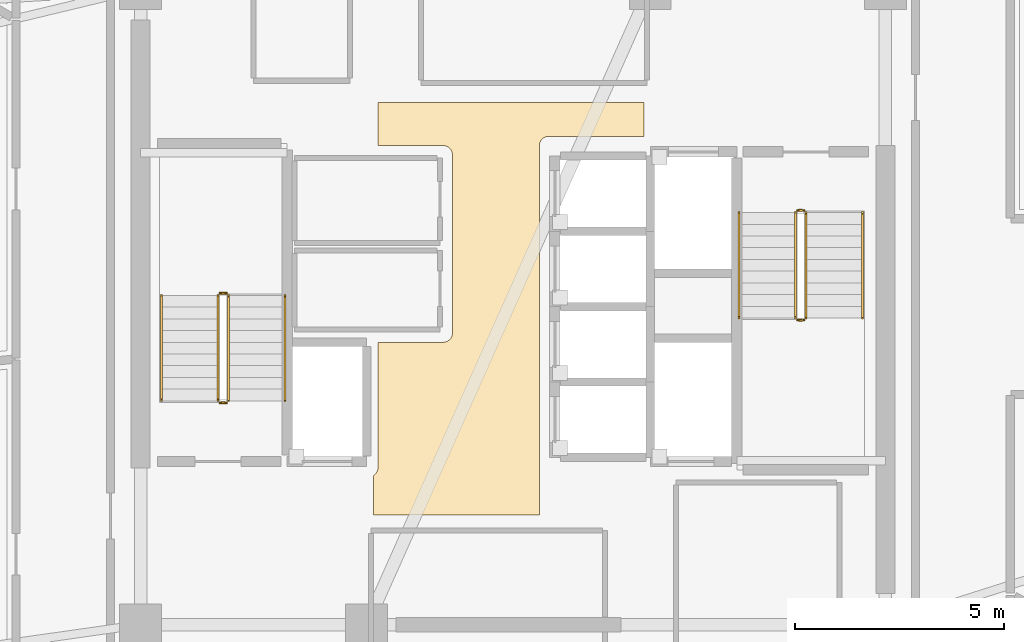
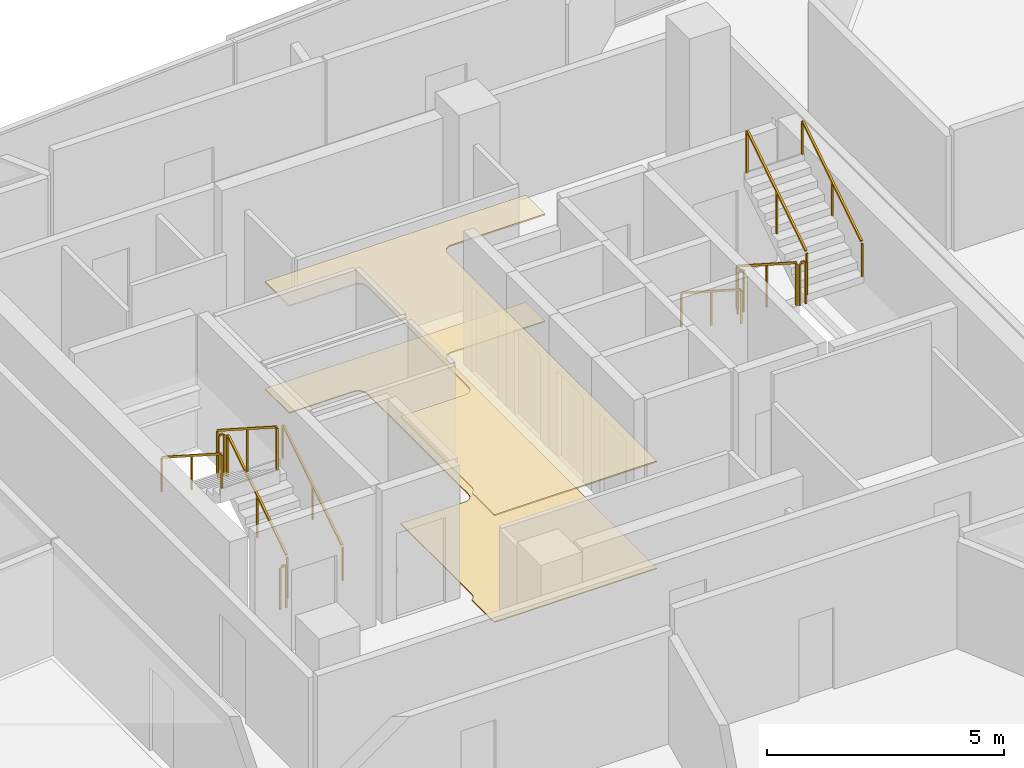
# One storey, part 15 of 16: 12 railings, 2 coverings.
"""IFC4 building model written with IfcOpenShell, lengths in metres."""

from ifc_helpers import new_model, si_unit, direction, frame, origin, origin_2d, place, context, subcontext, project, spatial, polyline, rectangle, outline, extrude, material, layer, layer_set, type_object, element, save


model = new_model("IFC4")

# Units and contexts
model_context = context("Model", 3, precision=1e-05, world=origin(), true_north=direction((0.0, 1.0)))
body_context = subcontext(model_context, "Body", "Model", "MODEL_VIEW")
ifc_project = project(units=[si_unit("LENGTHUNIT", "METRE"), si_unit("AREAUNIT", "SQUARE_METRE"), si_unit("VOLUMEUNIT", "CUBIC_METRE"), si_unit("PLANEANGLEUNIT", "RADIAN"), si_unit("MASSUNIT", "GRAM", prefix="KILO")], contexts=[model_context])

# Site, building, storey
site_placement = place(None, origin())
site = spatial("IfcSite", under=ifc_project, at=site_placement, CompositionType="ELEMENT")
building_placement = place(site_placement, origin())
building = spatial("IfcBuilding", under=site, at=building_placement, Name="Tharavind Bronze Gate", CompositionType="ELEMENT")
storey_placement = place(building_placement, frame((0.0, 0.0, 260.60009765625)))
storey = spatial("IfcBuildingStorey", under=building, at=storey_placement, Name="L67", CompositionType="ELEMENT", Elevation=260.60009765625)

# Coverings
ifc_material_1 = material(Name="Perforated Bronze Acoustic Panel", Category="bronze")
ifc_layer_1 = layer(ifc_material_1, 0.044921875)
ifc_layer_set_1 = layer_set([ifc_layer_1], Name="Perforated Bronze Acoustic Panel")
covering_type_1 = type_object("IfcCoveringType", Name="ACOUSTIC BRONZE BAFFLE CEILING", PredefinedType="CEILING", material=ifc_layer_set_1)
covering_1_placement = place(storey_placement, frame((0.0, 0.0, 2.75)))
element("IfcCovering", 1, at=covering_1_placement, inside=storey, type_object=covering_type_1, Name="L67-C-LL suspended ceiling", PredefinedType="CEILING", context=body_context, shape_type="SweptSolid", body=[
    extrude(outline(polyline([(-3.330078125, -4.97998046875), (0.6298828125, -4.97998046875), (0.6298828125, 3.85009765625), (0.631103515625, 3.87158203125), (0.63427734375, 3.892822265625), (0.639404296875, 3.913818359375), (0.646728515625, 3.93408203125), (0.656005859375, 3.95361328125), (0.6669921875, 3.97216796875), (0.679931640625, 3.989501953125), (0.6943359375, 4.005615234375), (0.71044921875, 4.02001953125), (0.727783203125, 4.032958984375), (0.746337890625, 4.0439453125), (0.765869140625, 4.05322265625), (0.7861328125, 4.060546875), (0.80712890625, 4.06591796875), (0.828369140625, 4.06884765625), (0.85009765625, 4.070068359375), (3.1298828125, 4.070068359375), (3.1298828125, 4.8798828125), (-3.22998046875, 4.8798828125), (-3.22998046875, 3.85009765625), (-1.669921875, 3.85009765625), (-1.6484375, 3.848876953125), (-1.627197265625, 3.845703125), (-1.606201171875, 3.840576171875), (-1.585693359375, 3.833251953125), (-1.56640625, 3.823974609375), (-1.5478515625, 3.81298828125), (-1.530517578125, 3.800048828125), (-1.514404296875, 3.78564453125), (-1.5, 3.76953125), (-1.487060546875, 3.752197265625), (-1.47607421875, 3.733642578125), (-1.466796875, 3.714111328125), (-1.45947265625, 3.69384765625), (-1.4541015625, 3.6728515625), (-1.451171875, 3.651611328125), (-1.449951171875, 3.6298828125), (-1.449951171875, 1.43994140625), (-1.450439453125, 1.429931640625), (-1.449951171875, 1.419921875), (-1.449951171875, -0.6298828125), (-1.451171875, -0.651611328125), (-1.4541015625, -0.6728515625), (-1.45947265625, -0.69384765625), (-1.466796875, -0.714111328125), (-1.47607421875, -0.733642578125), (-1.487060546875, -0.752197265625), (-1.5, -0.76953125), (-1.514404296875, -0.78564453125), (-1.530517578125, -0.800048828125), (-1.5478515625, -0.81298828125), (-1.56640625, -0.823974609375), (-1.585693359375, -0.833251953125), (-1.606201171875, -0.840576171875), (-1.627197265625, -0.845703125), (-1.6484375, -0.848876953125), (-1.669921875, -0.85009765625), (-3.22998046875, -0.85009765625), (-3.22998046875, -3.85009765625), (-3.231201171875, -3.87158203125), (-3.234130859375, -3.892822265625), (-3.239501953125, -3.913818359375), (-3.24658203125, -3.93408203125), (-3.256103515625, -3.95361328125), (-3.26708984375, -3.97216796875), (-3.27978515625, -3.989501953125), (-3.29443359375, -4.005615234375), (-3.310302734375, -4.02001953125), (-3.327880859375, -4.032958984375), (-3.330078125, -4.0341796875), (-3.330078125, -4.97998046875)])), origin(), (0.0, 0.0, 1.0), 0.034912109375),
])
ifc_material_2 = material(Name="Honed Travertine Limestone", Category="masonry")
ifc_layer_2 = layer(ifc_material_2, 0.030029296875)
ifc_layer_set_2 = layer_set([ifc_layer_2], Name="Honed Travertine Limestone")
covering_type_2 = type_object("IfcCoveringType", Name="HONED LIMESTONE FLOORING", PredefinedType="FLOORING", material=ifc_layer_set_2)
covering_2_placement = place(storey_placement, origin())
element("IfcCovering", 2, at=covering_2_placement, inside=storey, type_object=covering_type_2, Name="L67-C-LL floor finish", PredefinedType="FLOORING", context=body_context, shape_type="SweptSolid", body=[
    extrude(outline(polyline([(-3.330078125, -4.97998046875), (0.6298828125, -4.97998046875), (0.6298828125, 3.85009765625), (0.631103515625, 3.87158203125), (0.63427734375, 3.892822265625), (0.639404296875, 3.913818359375), (0.646728515625, 3.93408203125), (0.656005859375, 3.95361328125), (0.6669921875, 3.97216796875), (0.679931640625, 3.989501953125), (0.6943359375, 4.005615234375), (0.71044921875, 4.02001953125), (0.727783203125, 4.032958984375), (0.746337890625, 4.0439453125), (0.765869140625, 4.05322265625), (0.7861328125, 4.060546875), (0.80712890625, 4.06591796875), (0.828369140625, 4.06884765625), (0.85009765625, 4.070068359375), (3.1298828125, 4.070068359375), (3.1298828125, 4.8798828125), (-3.22998046875, 4.8798828125), (-3.22998046875, 3.85009765625), (-1.669921875, 3.85009765625), (-1.6484375, 3.848876953125), (-1.627197265625, 3.845703125), (-1.606201171875, 3.840576171875), (-1.585693359375, 3.833251953125), (-1.56640625, 3.823974609375), (-1.5478515625, 3.81298828125), (-1.530517578125, 3.800048828125), (-1.514404296875, 3.78564453125), (-1.5, 3.76953125), (-1.487060546875, 3.752197265625), (-1.47607421875, 3.733642578125), (-1.466796875, 3.714111328125), (-1.45947265625, 3.69384765625), (-1.4541015625, 3.6728515625), (-1.451171875, 3.651611328125), (-1.449951171875, 3.6298828125), (-1.449951171875, 1.43994140625), (-1.450439453125, 1.429931640625), (-1.449951171875, 1.419921875), (-1.449951171875, -0.6298828125), (-1.451171875, -0.651611328125), (-1.4541015625, -0.6728515625), (-1.45947265625, -0.69384765625), (-1.466796875, -0.714111328125), (-1.47607421875, -0.733642578125), (-1.487060546875, -0.752197265625), (-1.5, -0.76953125), (-1.514404296875, -0.78564453125), (-1.530517578125, -0.800048828125), (-1.5478515625, -0.81298828125), (-1.56640625, -0.823974609375), (-1.585693359375, -0.833251953125), (-1.606201171875, -0.840576171875), (-1.627197265625, -0.845703125), (-1.6484375, -0.848876953125), (-1.669921875, -0.85009765625), (-3.22998046875, -0.85009765625), (-3.22998046875, -3.85009765625), (-3.231201171875, -3.87158203125), (-3.234130859375, -3.892822265625), (-3.239501953125, -3.913818359375), (-3.24658203125, -3.93408203125), (-3.256103515625, -3.95361328125), (-3.26708984375, -3.97216796875), (-3.27978515625, -3.989501953125), (-3.29443359375, -4.005615234375), (-3.310302734375, -4.02001953125), (-3.327880859375, -4.032958984375), (-3.330078125, -4.0341796875), (-3.330078125, -4.97998046875)])), origin(), (0.0, 0.0, 1.0), 0.02490234375),
])

# Railings
ifc_material_3 = material(Name="Brushed Bronze Alloy", Category="metal")
railing_type_1 = type_object("IfcRailingType", Name="STAIR BRONZE HANDRAIL 900", PredefinedType="HANDRAIL", material=ifc_material_3)
railing_1_placement = place(storey_placement, frame((-5.449951171875, -2.25, 0.179931640625)))
element("IfcRailing", 3, at=railing_1_placement, inside=storey, type_object=railing_type_1, Name="L67 ST1 stair handrail 1", PredefinedType="HANDRAIL", context=body_context, shape_type="SweptSolid", body=[
    extrude(rectangle(XDim=0.048095703125, YDim=0.048095703125, at=origin_2d()), frame((0.0, 0.02685546875, 0.89306640625), z_axis=(0.0, 0.841199657755, 0.540724639528), x_axis=(-1.0, 0.0, 0.0)), (0.0, 0.0, 1.0), 2.931640625),
    extrude(rectangle(XDim=0.0400390625, YDim=0.0400390625, at=origin_2d()), origin(), (0.0, 0.0, 1.0), 0.847900390625),
    extrude(rectangle(XDim=0.0400390625, YDim=0.0400390625, at=origin_2d()), frame((0.0, 1.260009765625, 0.81005859375)), (0.0, 0.0, 1.0), 0.847900390625),
    extrude(rectangle(XDim=0.0400390625, YDim=0.0400390625, at=origin_2d()), frame((0.0, 2.52001953125, 1.619873046875)), (0.0, 0.0, 1.0), 0.847900390625),
])
for number, where, name in (
    (4, (-8.39990234375, 0.27001953125, 1.97998046875), "L67 ST1 stair handrail 2"),
    (5, (5.39990234375, 2.25, 0.179931640625), "L67 ST2 stair handrail 1"),
):
    element("IfcRailing", number, at=place(storey_placement, frame(where)), inside=storey, type_object=railing_type_1, Name=name, PredefinedType="HANDRAIL", context=body_context, shape_type="SweptSolid", body=[
        extrude(rectangle(XDim=0.048095703125, YDim=0.048095703125, at=origin_2d()), frame((0.0, -0.02685546875, 0.89306640625), z_axis=(0.0, -0.841199657755, 0.540724639528), x_axis=(1.0, 0.0, 0.0)), (0.0, 0.0, 1.0), 2.931640625),
        extrude(rectangle(XDim=0.0400390625, YDim=0.0400390625, at=origin_2d()), origin(), (0.0, 0.0, 1.0), 0.847900390625),
        extrude(rectangle(XDim=0.0400390625, YDim=0.0400390625, at=origin_2d()), frame((0.0, -1.260009765625, 0.81005859375)), (0.0, 0.0, 1.0), 0.847900390625),
        extrude(rectangle(XDim=0.0400390625, YDim=0.0400390625, at=origin_2d()), frame((0.0, -2.52001953125, 1.619873046875)), (0.0, 0.0, 1.0), 0.847900390625),
    ])
railing_2_placement = place(storey_placement, frame((8.35009765625, -0.27001953125, 1.97998046875)))
element("IfcRailing", 6, at=railing_2_placement, inside=storey, type_object=railing_type_1, Name="L67 ST2 stair handrail 2", PredefinedType="HANDRAIL", context=body_context, shape_type="SweptSolid", body=[
    extrude(rectangle(XDim=0.048095703125, YDim=0.048095703125, at=origin_2d()), frame((0.0, 0.02685546875, 0.89306640625), z_axis=(0.0, 0.841199657755, 0.540724639528), x_axis=(-1.0, 0.0, 0.0)), (0.0, 0.0, 1.0), 2.931640625),
    extrude(rectangle(XDim=0.0400390625, YDim=0.0400390625, at=origin_2d()), origin(), (0.0, 0.0, 1.0), 0.847900390625),
    extrude(rectangle(XDim=0.0400390625, YDim=0.0400390625, at=origin_2d()), frame((0.0, 1.260009765625, 0.81005859375)), (0.0, 0.0, 1.0), 0.847900390625),
    extrude(rectangle(XDim=0.0400390625, YDim=0.0400390625, at=origin_2d()), frame((0.0, 2.52001953125, 1.619873046875)), (0.0, 0.0, 1.0), 0.847900390625),
])
railing_type_2 = type_object("IfcRailingType", Name="STAIR WELL GUARD RAILING 1120", PredefinedType="GUARDRAIL", material=ifc_material_3)
railing_3_placement = place(storey_placement, frame((-6.800048828125, -2.25, 0.179931640625)))
element("IfcRailing", 7, at=railing_3_placement, inside=storey, type_object=railing_type_2, Name="L67 ST1 stair guard 1", PredefinedType="GUARDRAIL", context=body_context, shape_type="SweptSolid", body=[
    extrude(rectangle(XDim=0.048095703125, YDim=0.048095703125, at=origin_2d()), frame((0.0, 0.02685546875, 1.11328125), z_axis=(0.0, 0.841199657755, 0.540724639528), x_axis=(-1.0, 0.0, 0.0)), (0.0, 0.0, 1.0), 2.931640625),
    extrude(rectangle(XDim=0.0400390625, YDim=0.0400390625, at=origin_2d()), origin(), (0.0, 0.0, 1.0), 1.068115234375),
    extrude(rectangle(XDim=0.0400390625, YDim=0.0400390625, at=origin_2d()), frame((0.0, 1.260009765625, 0.81005859375)), (0.0, 0.0, 1.0), 1.068115234375),
    extrude(rectangle(XDim=0.0400390625, YDim=0.0400390625, at=origin_2d()), frame((0.0, 2.52001953125, 1.619873046875)), (0.0, 0.0, 1.0), 1.068115234375),
])
railing_4_placement = place(storey_placement, frame((-6.85009765625, 0.320068359375, 1.7998046875)))
element("IfcRailing", 8, at=railing_4_placement, inside=storey, type_object=railing_type_2, Name="L67 ST1 stair guard 2", PredefinedType="GUARDRAIL", context=body_context, shape_type="SweptSolid", body=[
    extrude(rectangle(XDim=0.048095703125, YDim=0.048095703125, at=origin_2d()), frame((-0.031982421875, 0.0, 1.09619140625), z_axis=(-1.0, 0.0, 0.0), x_axis=(0.0, -1.0, 0.0)), (0.0, 0.0, 1.0), 0.0859375),
    extrude(rectangle(XDim=0.0400390625, YDim=0.0400390625, at=origin_2d()), origin(), (0.0, 0.0, 1.0), 1.068115234375),
    extrude(rectangle(XDim=0.0400390625, YDim=0.0400390625, at=origin_2d()), frame((-0.14990234375, 0.0, 0.0)), (0.0, 0.0, 1.0), 1.068115234375),
])
railing_5_placement = place(storey_placement, frame((-7.050048828125, 0.27001953125, 1.97998046875)))
element("IfcRailing", 9, at=railing_5_placement, inside=storey, type_object=railing_type_2, Name="L67 ST1 stair guard 3", PredefinedType="GUARDRAIL", context=body_context, shape_type="SweptSolid", body=[
    extrude(rectangle(XDim=0.048095703125, YDim=0.048095703125, at=origin_2d()), frame((0.0, -0.02685546875, 1.11328125), z_axis=(0.0, -0.841199657755, 0.540724639528), x_axis=(1.0, 0.0, 0.0)), (0.0, 0.0, 1.0), 2.931640625),
    extrude(rectangle(XDim=0.0400390625, YDim=0.0400390625, at=origin_2d()), origin(), (0.0, 0.0, 1.0), 1.068115234375),
    extrude(rectangle(XDim=0.0400390625, YDim=0.0400390625, at=origin_2d()), frame((0.0, -1.260009765625, 0.81005859375)), (0.0, 0.0, 1.0), 1.068115234375),
    extrude(rectangle(XDim=0.0400390625, YDim=0.0400390625, at=origin_2d()), frame((0.0, -2.52001953125, 1.619873046875)), (0.0, 0.0, 1.0), 1.068115234375),
])
railing_6_placement = place(storey_placement, frame((-6.85009765625, -2.300048828125, 0.0)))
element("IfcRailing", 10, at=railing_6_placement, inside=storey, type_object=railing_type_2, Name="L67 ST1 stair guard 4", PredefinedType="GUARDRAIL", context=body_context, shape_type="SweptSolid", body=[
    extrude(rectangle(XDim=0.048095703125, YDim=0.048095703125, at=origin_2d()), frame((-0.031982421875, 0.0, 1.09619140625), z_axis=(-1.0, 0.0, 0.0), x_axis=(0.0, -1.0, 0.0)), (0.0, 0.0, 1.0), 0.0859375),
    extrude(rectangle(XDim=0.0400390625, YDim=0.0400390625, at=origin_2d()), origin(), (0.0, 0.0, 1.0), 1.068115234375),
    extrude(rectangle(XDim=0.0400390625, YDim=0.0400390625, at=origin_2d()), frame((-0.14990234375, 0.0, 0.0)), (0.0, 0.0, 1.0), 1.068115234375),
])
railing_7_placement = place(storey_placement, frame((6.75, 2.25, 0.179931640625)))
element("IfcRailing", 11, at=railing_7_placement, inside=storey, type_object=railing_type_2, Name="L67 ST2 stair guard 1", PredefinedType="GUARDRAIL", context=body_context, shape_type="SweptSolid", body=[
    extrude(rectangle(XDim=0.048095703125, YDim=0.048095703125, at=origin_2d()), frame((0.0, -0.02685546875, 1.11328125), z_axis=(0.0, -0.841199657755, 0.540724639528), x_axis=(1.0, 0.0, 0.0)), (0.0, 0.0, 1.0), 2.931640625),
    extrude(rectangle(XDim=0.0400390625, YDim=0.0400390625, at=origin_2d()), origin(), (0.0, 0.0, 1.0), 1.068115234375),
    extrude(rectangle(XDim=0.0400390625, YDim=0.0400390625, at=origin_2d()), frame((0.0, -1.260009765625, 0.81005859375)), (0.0, 0.0, 1.0), 1.068115234375),
    extrude(rectangle(XDim=0.0400390625, YDim=0.0400390625, at=origin_2d()), frame((0.0, -2.52001953125, 1.619873046875)), (0.0, 0.0, 1.0), 1.068115234375),
])
railing_8_placement = place(storey_placement, frame((6.800048828125, -0.320068359375, 1.7998046875)))
element("IfcRailing", 12, at=railing_8_placement, inside=storey, type_object=railing_type_2, Name="L67 ST2 stair guard 2", PredefinedType="GUARDRAIL", context=body_context, shape_type="SweptSolid", body=[
    extrude(rectangle(XDim=0.048095703125, YDim=0.048095703125, at=origin_2d()), frame((0.031982421875, 0.0, 1.09619140625), z_axis=(1.0, 0.0, 0.0), x_axis=(0.0, 1.0, 0.0)), (0.0, 0.0, 1.0), 0.0859375),
    extrude(rectangle(XDim=0.0400390625, YDim=0.0400390625, at=origin_2d()), origin(), (0.0, 0.0, 1.0), 1.068115234375),
    extrude(rectangle(XDim=0.0400390625, YDim=0.0400390625, at=origin_2d()), frame((0.14990234375, 0.0, 0.0)), (0.0, 0.0, 1.0), 1.068115234375),
])
railing_9_placement = place(storey_placement, frame((7.0, -0.27001953125, 1.97998046875)))
element("IfcRailing", 13, at=railing_9_placement, inside=storey, type_object=railing_type_2, Name="L67 ST2 stair guard 3", PredefinedType="GUARDRAIL", context=body_context, shape_type="SweptSolid", body=[
    extrude(rectangle(XDim=0.048095703125, YDim=0.048095703125, at=origin_2d()), frame((0.0, 0.02685546875, 1.11328125), z_axis=(0.0, 0.841199657755, 0.540724639528), x_axis=(-1.0, 0.0, 0.0)), (0.0, 0.0, 1.0), 2.931640625),
    extrude(rectangle(XDim=0.0400390625, YDim=0.0400390625, at=origin_2d()), origin(), (0.0, 0.0, 1.0), 1.068115234375),
    extrude(rectangle(XDim=0.0400390625, YDim=0.0400390625, at=origin_2d()), frame((0.0, 1.260009765625, 0.81005859375)), (0.0, 0.0, 1.0), 1.068115234375),
    extrude(rectangle(XDim=0.0400390625, YDim=0.0400390625, at=origin_2d()), frame((0.0, 2.52001953125, 1.619873046875)), (0.0, 0.0, 1.0), 1.068115234375),
])
railing_10_placement = place(storey_placement, frame((6.800048828125, 2.300048828125, 0.0)))
element("IfcRailing", 14, at=railing_10_placement, inside=storey, type_object=railing_type_2, Name="L67 ST2 stair guard 4", PredefinedType="GUARDRAIL", context=body_context, shape_type="SweptSolid", body=[
    extrude(rectangle(XDim=0.048095703125, YDim=0.048095703125, at=origin_2d()), frame((0.031982421875, 0.0, 1.09619140625), z_axis=(1.0, 0.0, 0.0), x_axis=(0.0, 1.0, 0.0)), (0.0, 0.0, 1.0), 0.0859375),
    extrude(rectangle(XDim=0.0400390625, YDim=0.0400390625, at=origin_2d()), origin(), (0.0, 0.0, 1.0), 1.068115234375),
    extrude(rectangle(XDim=0.0400390625, YDim=0.0400390625, at=origin_2d()), frame((0.14990234375, 0.0, 0.0)), (0.0, 0.0, 1.0), 1.068115234375),
])

save(model, "model.ifc")
